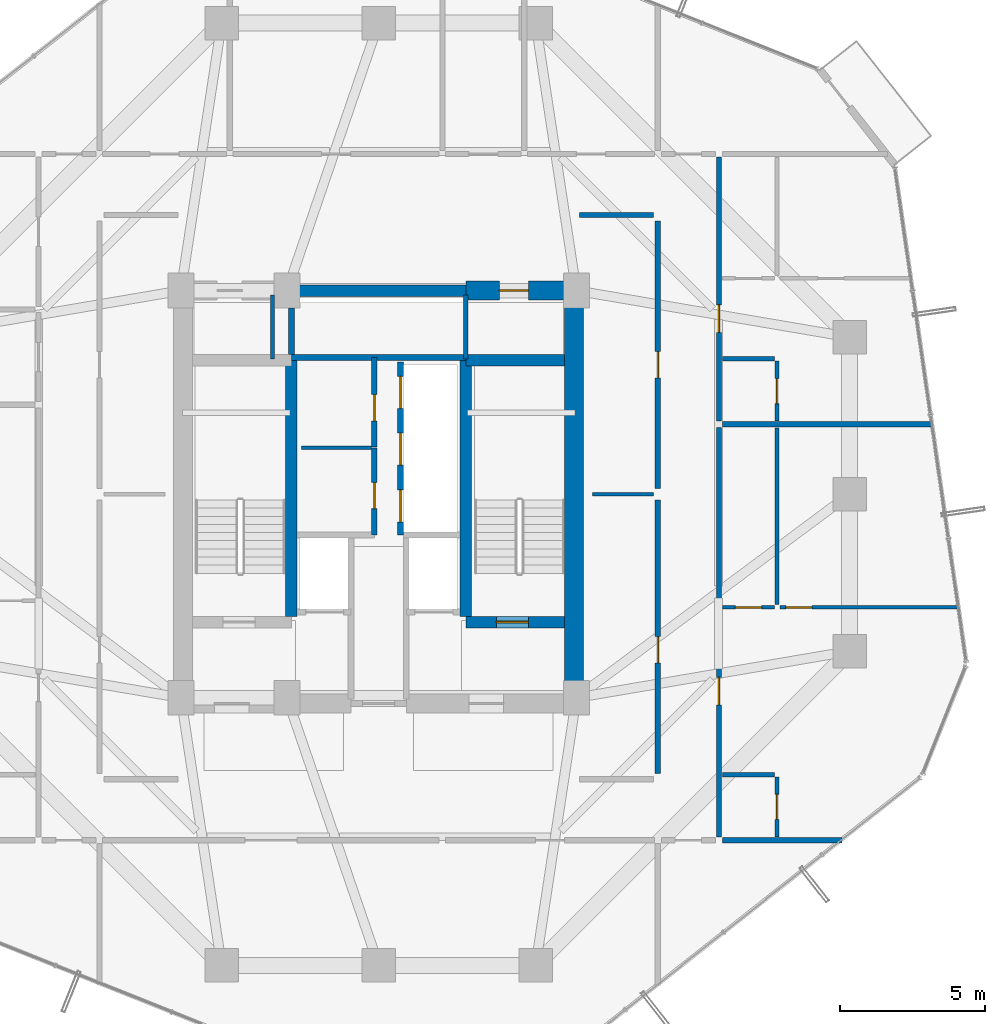
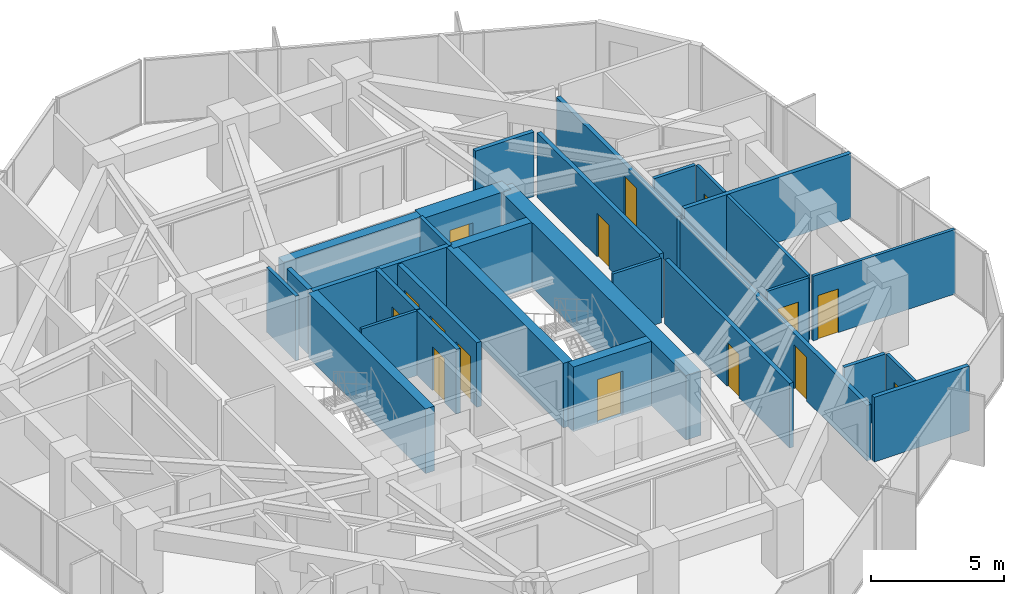
# One storey, part 31 of 34: 30 walls, 15 doors, 15 openings.
"""IFC4 building model written with IfcOpenShell, lengths in metres."""

import ifcopenshell
import ifcopenshell.guid

model = None  # the IFC model being written
_history = None  # IfcOwnerHistory: only IFC2X3 demands one
_inside = {}  # id of a spatial element -> (the spatial element, [elements in it])
_under = {}  # id of a project, library or spatial element -> (it, [spatial elements below it])
_declared = {}  # id of a project -> (the project, [libraries it declares])
_typed = {}  # id of a type object -> (the type object, [elements of that type])
_made_of = {}  # id of a material, layer set ... -> (it, [elements and type objects made of it])


def new_model(schema):
    """Start an empty IFC model of exactly this schema.

    Asked for "IFC4X3", IfcOpenShell would pick the latest addendum, in which some entities
    have other attributes; the version numbers below select the first issue.
    IFC2X3 requires an IfcOwnerHistory on every rooted entity: one is made here for all.
    """
    global model, _history
    if schema == "IFC4X3":
        model = ifcopenshell.file(schema_version=(4, 3, 0, 0))
    else:
        model = ifcopenshell.file(schema=schema)
    _inside.clear()
    _under.clear()
    _declared.clear()
    _typed.clear()
    _made_of.clear()
    _history = None
    if model.schema == "IFC2X3":
        org = make("IfcOrganization", Name="unknown")
        user = make(
            "IfcPersonAndOrganization",
            ThePerson=make("IfcPerson", FamilyName="unknown"),
            TheOrganization=org,
        )
        app = make(
            "IfcApplication",
            ApplicationDeveloper=org,
            Version="unknown",
            ApplicationFullName="unknown",
            ApplicationIdentifier="unknown",
        )
        _history = make(
            "IfcOwnerHistory",
            OwningUser=user,
            OwningApplication=app,
            ChangeAction="ADDED",
            CreationDate=0,
        )
    return model


def make(cls, **values):
    """One entity of the class cls with the attributes given. An attribute that is None is left unset."""
    return model.create_entity(
        cls, **{name: value for name, value in values.items() if value is not None}
    )


def rooted(cls, **values):
    """An entity with a GlobalId (a new one), such as an element, a storey or a relation."""
    return make(cls, GlobalId=ifcopenshell.guid.new(), OwnerHistory=_history, **values)


def si_unit(unit_type, name, prefix=None):
    """IfcSIUnit, for example si_unit("LENGTHUNIT", "METRE", prefix="MILLI")."""
    return make("IfcSIUnit", UnitType=unit_type, Prefix=prefix, Name=name)


def assignment(units):
    """IfcUnitAssignment: the units of a project."""
    return None if units is None else make("IfcUnitAssignment", Units=units)


def point(xyz):
    """IfcCartesianPoint."""
    return None if xyz is None else make("IfcCartesianPoint", Coordinates=xyz)


def direction(xyz):
    """IfcDirection."""
    return None if xyz is None else make("IfcDirection", DirectionRatios=xyz)


def frame(location, z_axis=None, x_axis=None):
    """IfcAxis2Placement3D, a coordinate frame: its origin and axes. An axis left out is left unset."""
    return make(
        "IfcAxis2Placement3D",
        Location=point(location),
        Axis=direction(z_axis),
        RefDirection=direction(x_axis),
    )


def frame_2d(location, x_axis=None):
    """IfcAxis2Placement2D, a coordinate frame in the plane: its origin and x axis."""
    return make(
        "IfcAxis2Placement2D", Location=point(location), RefDirection=direction(x_axis)
    )


def origin():
    """The frame at (0, 0, 0) with its axes left unset."""
    return frame((0.0, 0.0, 0.0))


def place(relative_to, where):
    """IfcLocalPlacement: puts the frame where relative to a parent placement (None: the world)."""
    return make(
        "IfcLocalPlacement", PlacementRelTo=relative_to, RelativePlacement=where
    )


def context(
    kind, dimensions, precision=None, world=None, true_north=None, identifier=None
):
    """IfcGeometricRepresentationContext, for example the 3D "Model" context."""
    return make(
        "IfcGeometricRepresentationContext",
        ContextIdentifier=identifier,
        ContextType=kind,
        CoordinateSpaceDimension=dimensions,
        Precision=precision,
        WorldCoordinateSystem=world,
        TrueNorth=true_north,
    )


def subcontext(parent, identifier, kind, view, scale=None):
    """IfcGeometricRepresentationSubContext, for example "Body" below "Model"."""
    return make(
        "IfcGeometricRepresentationSubContext",
        ContextIdentifier=identifier,
        ContextType=kind,
        ParentContext=parent,
        TargetScale=scale,
        TargetView=view,
    )


def project(units=None, contexts=None):
    """IfcProject with its units and contexts."""
    return rooted(
        "IfcProject",
        Name="project",
        RepresentationContexts=contexts,
        UnitsInContext=assignment(units),
    )


def spatial(cls, under=None, at=None, **own):
    """A site, building, storey or space (cls), placed at a placement, below another one or the project."""
    s = rooted(cls, ObjectPlacement=at, **own)
    if under is not None:
        _under.setdefault(under.id(), (under, []))[1].append(s)
    return s


def profile(cls, at=None, kind="AREA", **sizes):
    """A parametric profile (cls). Its sizes go by their IFC names, for example OverallWidth=200.0."""
    return make(cls, ProfileType=kind, Position=at, **sizes)


def rectangle(**sizes):
    """IfcRectangleProfileDef."""
    return profile("IfcRectangleProfileDef", **sizes)


def extrude(swept, where, along, depth):
    """IfcExtrudedAreaSolid: the profile swept, set in the frame where, extruded along a direction by depth."""
    return make(
        "IfcExtrudedAreaSolid",
        SweptArea=swept,
        Position=where,
        ExtrudedDirection=direction(along),
        Depth=depth,
    )


def shape(context_of_items, identifier, shape_type, items):
    """IfcShapeRepresentation: the items that make up one representation, for example the "Body"."""
    return make(
        "IfcShapeRepresentation",
        ContextOfItems=context_of_items,
        RepresentationIdentifier=identifier,
        RepresentationType=shape_type,
        Items=items,
    )


def source(mapping_origin, context_of_items, identifier, shape_type, items):
    """IfcRepresentationMap: a shape defined once, which mapped items show again and again."""
    return make(
        "IfcRepresentationMap",
        MappingOrigin=mapping_origin,
        MappedRepresentation=shape(context_of_items, identifier, shape_type, items),
    )


def transform(
    local_origin,
    x_axis=None,
    y_axis=None,
    z_axis=None,
    scale=None,
    scale2=None,
    scale3=None,
    uniform=True,
):
    """IfcCartesianTransformationOperator3D, or its non-uniform kind. x_axis, y_axis, z_axis: its Axis1, 2, 3."""
    if uniform:
        return make(
            "IfcCartesianTransformationOperator3D",
            Axis1=direction(x_axis),
            Axis2=direction(y_axis),
            LocalOrigin=point(local_origin),
            Scale=scale,
            Axis3=direction(z_axis),
        )
    return make(
        "IfcCartesianTransformationOperator3DnonUniform",
        Axis1=direction(x_axis),
        Axis2=direction(y_axis),
        LocalOrigin=point(local_origin),
        Scale=scale,
        Axis3=direction(z_axis),
        Scale2=scale2,
        Scale3=scale3,
    )


def mapped(mapping_source, mapping_target):
    """IfcMappedItem: shows the shape of a source again, moved by a transform."""
    return make(
        "IfcMappedItem", MappingSource=mapping_source, MappingTarget=mapping_target
    )


def material(Name=None, Category=None):
    """IfcMaterial."""
    return make("IfcMaterial", Name=Name, Category=Category)


def layer(
    of_material, thickness, ventilated=None, Name=None, Category=None, Priority=None
):
    """IfcMaterialLayer: one layer of a wall or slab, of a material (None: an air gap)."""
    return make(
        "IfcMaterialLayer",
        Material=of_material,
        LayerThickness=thickness,
        IsVentilated=ventilated,
        Name=Name,
        Category=Category,
        Priority=Priority,
    )


def layer_set(layers, Name=None):
    """IfcMaterialLayerSet."""
    return make("IfcMaterialLayerSet", MaterialLayers=layers, LayerSetName=Name)


def made_of(thing, what):
    """Note that an element or type object is made of a material, layer set ...; save() writes the relation."""
    if what is not None:
        _made_of.setdefault(what.id(), (what, []))[1].append(thing)
    return thing


def type_object(cls, material=None, **own):
    """A type object (cls), such as IfcWallType, which elements share."""
    return made_of(rooted(cls, **own), material)


def element(
    cls,
    number,
    at=None,
    inside=None,
    cuts=None,
    type_object=None,
    material=None,
    context=None,
    identifier="Body",
    shape_type=None,
    held_by="IfcProductDefinitionShape",
    body=None,
    shapes=None,
    **own,
):
    """One element of the class cls, such as IfcWall. Its Tag is "e" and its number.

    at: its placement. inside: the storey or other place that contains it. cuts: it is an
    opening in that element (IfcRelVoidsElement). A single representation is given by context,
    identifier, shape_type and body (its items); several are given by shapes. held_by: the class
    of the entity that holds the representations. save() writes the other relations.
    """
    e = rooted(cls, Tag="e%d" % number, ObjectPlacement=at, **own)
    if body is not None:
        shapes = [shape(context, identifier, shape_type, body)]
    if shapes is not None:
        e.Representation = make(held_by, Representations=shapes)
    if inside is not None:
        _inside.setdefault(inside.id(), (inside, []))[1].append(e)
    if cuts is not None:
        rooted(
            "IfcRelVoidsElement", RelatingBuildingElement=cuts, RelatedOpeningElement=e
        )
    if type_object is not None:
        _typed.setdefault(type_object.id(), (type_object, []))[1].append(e)
    return made_of(e, material)


def fill(opening, filler):
    """IfcRelFillsElement: the door or window that sits in an opening."""
    return rooted(
        "IfcRelFillsElement",
        RelatingOpeningElement=opening,
        RelatedBuildingElement=filler,
    )


def aggregate(whole, parts):
    """IfcRelAggregates: a whole, such as a stair, and the parts it consists of."""
    return rooted("IfcRelAggregates", RelatingObject=whole, RelatedObjects=parts)


def save(model, path):
    """Write the relations noted so far, then the file.

    IfcRelAggregates (storeys below a building ...), IfcRelContainedInSpatialStructure (elements
    in a storey), IfcRelDefinesByType, IfcRelAssociatesMaterial and IfcRelDeclares: one each for
    every whole, place, type object, material and project.
    """
    for whole, parts in _under.values():
        aggregate(whole, parts)
    for where, things in _inside.values():
        rooted(
            "IfcRelContainedInSpatialStructure",
            RelatedElements=things,
            RelatingStructure=where,
        )
    for kind, things in _typed.values():
        rooted("IfcRelDefinesByType", RelatedObjects=things, RelatingType=kind)
    for what, things in _made_of.values():
        rooted("IfcRelAssociatesMaterial", RelatedObjects=things, RelatingMaterial=what)
    for by, libraries in _declared.values():
        rooted("IfcRelDeclares", RelatingContext=by, RelatedDefinitions=libraries)
    model.write(path)


model = new_model("IFC4")

# Units and contexts
model_context = context("Model", 3, precision=1e-05, world=origin(), true_north=direction((0.0, 1.0)))
body_context = subcontext(model_context, "Body", "Model", "MODEL_VIEW")
ifc_project = project(units=[si_unit("LENGTHUNIT", "METRE"), si_unit("AREAUNIT", "SQUARE_METRE"), si_unit("VOLUMEUNIT", "CUBIC_METRE"), si_unit("PLANEANGLEUNIT", "RADIAN"), si_unit("MASSUNIT", "GRAM", prefix="KILO")], contexts=[model_context])

# Site, building, storey
site_placement = place(None, origin())
site = spatial("IfcSite", under=ifc_project, at=site_placement, CompositionType="ELEMENT")
building_placement = place(site_placement, origin())
building = spatial("IfcBuilding", under=site, at=building_placement, Name="Veraguas Prism Commons", CompositionType="ELEMENT")
storey_placement = place(building_placement, frame((0.0, 0.0, 155.5)))
storey = spatial("IfcBuildingStorey", under=building, at=storey_placement, Name="L44", CompositionType="ELEMENT", Elevation=155.5)

# Wall
ifc_material_1 = material(Name="Concrete C50/60", Category="concrete")
ifc_layer_1 = layer(ifc_material_1, 0.39990234375, Name="Clinic and Mid Core Shear Wall RC 400", Category="concrete")
ifc_layer_set_1 = layer_set([ifc_layer_1], Name="Concrete C50/60")
wall_type_1 = type_object("IfcWallType", Name="Clinic and Mid Core Shear Wall RC 400", PredefinedType="SHEAR", material=ifc_layer_set_1)
wall_1_placement = place(storey_placement, frame((21.0, 31.0, 0.0), z_axis=(0.0, 0.0, 1.0), x_axis=(1.0, 0.0, 0.0)))
element("IfcWall", 1, at=wall_1_placement, inside=storey, type_object=wall_type_1, Name="High-Rise Lift Bank Front Shear Wall L44", PredefinedType="SHEAR", context=body_context, shape_type="SweptSolid", body=[
    extrude(rectangle(XDim=6.0, YDim=0.39990234375, at=frame_2d((3.0, 0.0))), origin(), (0.0, 0.0, 1.0), 2.969970703125),
])

# Wall, opening, door
wall_2_placement = place(storey_placement, frame((27.0, 19.60009765625, 0.0), z_axis=(0.0, 0.0, 1.0), x_axis=(1.0, 0.0, 0.0)))
wall_2 = element("IfcWall", 2, at=wall_2_placement, inside=storey, type_object=wall_type_1, Name="Stair ST-02 South Shear Wall L44", PredefinedType="SHEAR", context=body_context, shape_type="SweptSolid", body=[
    extrude(rectangle(XDim=3.39990234375, YDim=0.39990234375, at=frame_2d((1.699951171875, 0.0))), origin(), (0.0, 0.0, 1.0), 2.969970703125),
])
opening_1_placement = place(wall_2_placement, frame((1.050048828125, 0.0, 0.0)))
opening_1 = element("IfcOpeningElement", 3, at=opening_1_placement, cuts=wall_2, Name="Opening DR-05", PredefinedType="OPENING", context=body_context, shape_type="SweptSolid", body=[
    extrude(rectangle(XDim=1.10009765625, YDim=2.030029296875, at=frame_2d((0.550048828125, 1.01513671875))), frame((0.0, 0.2099609375, 0.0), z_axis=(0.0, -1.0, 0.0), x_axis=(1.0, 0.0, 0.0)), (0.0, 0.0, 1.0), 0.419921875),
])
ifc_material_2 = material(Name="Steel fire-rated door assembly", Category="steel")
door_type_1 = type_object("IfcDoorType", Name="Protected Stair and Refuge Fire Door 1100x2030", OperationType="NOTDEFINED", PredefinedType="DOOR", material=ifc_material_2)
shared_shape_1 = source(origin(), body_context, "Body", "SweptSolid", [
    extrude(rectangle(XDim=1.10009765625, YDim=2.030029296875, at=frame_2d((0.550048828125, 1.01513671875))), frame((0.0, 0.02490234375, 0.0), z_axis=(0.0, -1.0, 0.0), x_axis=(1.0, 0.0, 0.0)), (0.0, 0.0, 1.0), 0.050048828125),
])
door_1_placement = place(opening_1_placement, origin())
door_1 = element("IfcDoor", 4, at=door_1_placement, inside=storey, type_object=door_type_1, Name="Stair ST-02 Enclosure Door L44", OperationType="SINGLE_SWING_RIGHT", OverallHeight=2.030029296875, OverallWidth=1.10009765625, PredefinedType="DOOR", context=body_context, shape_type="MappedRepresentation", body=[
    mapped(shared_shape_1, transform((0.0, 0.0, 0.0), scale=1.0)),
])
fill(opening_1, door_1)

# Walls
for number, where, z_axis, x_axis, name in (
    (5, (21.0, 19.800048828125, 0.0), (0.0, 0.0, 1.0), (0.0, 1.0, 0.0), "Stair ST-01 Inner Shear Wall L44"),
    (6, (27.0, 19.800048828125, 0.0), (0.0, 0.0, 1.0), (0.0, 1.0, 0.0), "Stair ST-02 Inner Shear Wall L44"),
):
    element("IfcWall", number, at=place(storey_placement, frame(where, z_axis=z_axis, x_axis=x_axis)), inside=storey, type_object=wall_type_1, Name=name, PredefinedType="SHEAR", context=body_context, shape_type="SweptSolid", body=[
        extrude(rectangle(XDim=8.800048828125, YDim=0.39990234375, at=frame_2d((4.39990234375, 0.0))), origin(), (0.0, 0.0, 1.0), 2.969970703125),
    ])
wall_3_placement = place(storey_placement, frame((27.0, 28.60009765625, 0.0), z_axis=(0.0, 0.0, 1.0), x_axis=(1.0, 0.0, 0.0)))
element("IfcWall", 7, at=wall_3_placement, inside=storey, type_object=wall_type_1, Name="Stair ST-02 North Shear Wall L44", PredefinedType="SHEAR", context=body_context, shape_type="SweptSolid", body=[
    extrude(rectangle(XDim=3.39990234375, YDim=0.39990234375, at=frame_2d((1.699951171875, 0.0))), origin(), (0.0, 0.0, 1.0), 2.969970703125),
])
ifc_material_3 = material(Name="Concrete C55/67", Category="concrete")
ifc_layer_2 = layer(ifc_material_3, 0.64990234375, Name="Core Outer Shear Wall Mid RC 650", Category="concrete")
ifc_layer_set_2 = layer_set([ifc_layer_2], Name="Concrete C55/67")
wall_type_2 = type_object("IfcWallType", Name="Core Outer Shear Wall Mid RC 650", PredefinedType="SHEAR", material=ifc_layer_set_2)
wall_4_placement = place(storey_placement, frame((30.72509765625, 16.800048828125, 0.0), z_axis=(0.0, 0.0, 1.0), x_axis=(0.0, 1.0, 0.0)))
element("IfcWall", 8, at=wall_4_placement, inside=storey, type_object=wall_type_2, Name="Central Core East Shear Wall L44", PredefinedType="SHEAR", context=body_context, shape_type="SweptSolid", body=[
    extrude(rectangle(XDim=14.199951171875, YDim=0.64990234375, at=frame_2d((7.10009765625, 0.0))), origin(), (0.0, 0.0, 1.0), 2.969970703125),
])

# Wall, opening, door
wall_5_placement = place(storey_placement, frame((27.0, 31.0, 0.0), z_axis=(0.0, 0.0, 1.0), x_axis=(1.0, 0.0, 0.0)))
wall_5 = element("IfcWall", 9, at=wall_5_placement, inside=storey, type_object=wall_type_2, Name="Central Core North-East Shear Wall L44", PredefinedType="SHEAR", context=body_context, shape_type="SweptSolid", body=[
    extrude(rectangle(XDim=3.800048828125, YDim=0.64990234375, at=frame_2d((1.89990234375, 0.0))), origin(), (0.0, 0.0, 1.0), 2.969970703125),
])
opening_2_placement = place(wall_5_placement, frame((1.14990234375, 0.0, 0.0)))
opening_2 = element("IfcOpeningElement", 10, at=opening_2_placement, cuts=wall_5, Name="Opening DR-13", PredefinedType="OPENING", context=body_context, shape_type="SweptSolid", body=[
    extrude(rectangle(XDim=1.0, YDim=2.010009765625, at=frame_2d((0.5, 1.0048828125))), frame((0.0, 0.3349609375, 0.0), z_axis=(0.0, -1.0, 0.0), x_axis=(1.0, 0.0, 0.0)), (0.0, 0.0, 1.0), 0.669921875),
])
door_type_2 = type_object("IfcDoorType", Name="Core Accessible WC and Clinic Fire Door 1000x2010", OperationType="NOTDEFINED", PredefinedType="DOOR", material=ifc_material_2)
shared_shape_2 = source(origin(), body_context, "Body", "SweptSolid", [
    extrude(rectangle(XDim=1.0, YDim=2.010009765625, at=frame_2d((0.5, 1.0048828125))), frame((0.0, 0.02490234375, 0.0), z_axis=(0.0, -1.0, 0.0), x_axis=(1.0, 0.0, 0.0)), (0.0, 0.0, 1.0), 0.050048828125),
])
door_2_placement = place(opening_2_placement, origin())
door_2 = element("IfcDoor", 11, at=door_2_placement, inside=storey, type_object=door_type_2, Name="Core NE Pantry Door L44", OperationType="SINGLE_SWING_RIGHT", OverallHeight=2.010009765625, OverallWidth=1.0, PredefinedType="DOOR", context=body_context, shape_type="MappedRepresentation", body=[
    mapped(shared_shape_2, transform((0.0, 0.0, 0.0), scale=1.0)),
])
fill(opening_2, door_2)

ifc_material_4 = material(Name="Autoclaved aerated masonry block 10 MPa", Category="masonry")
ifc_layer_3 = layer(ifc_material_4, 0.179931640625, Name="Corridor and Inter-Tenancy Partition 180", Category="masonry")
ifc_layer_set_3 = layer_set([ifc_layer_3], Name="Autoclaved aerated masonry block 10 MPa")
wall_type_3 = type_object("IfcWallType", Name="Corridor and Inter-Tenancy Partition 180", PredefinedType="PARTITIONING", material=ifc_layer_set_3)
wall_6_placement = place(storey_placement, frame((23.85009765625, 22.60009765625, 0.0), z_axis=(0.0, 0.0, 1.0), x_axis=(0.0, 1.0, 0.0)))
wall_6 = element("IfcWall", 12, at=wall_6_placement, inside=storey, type_object=wall_type_3, Name="Co-op Pantry Partition L44", PredefinedType="PARTITIONING", context=body_context, shape_type="SweptSolid", body=[
    extrude(rectangle(XDim=2.97998046875, YDim=0.179931640625, at=frame_2d((1.489990234375, 0.0))), origin(), (0.0, 0.0, 1.0), 2.969970703125),
])
opening_3_placement = place(wall_6_placement, frame((0.89990234375, 0.0, 0.0)))
opening_3 = element("IfcOpeningElement", 13, at=opening_3_placement, cuts=wall_6, Name="Opening DR-14", PredefinedType="OPENING", context=body_context, shape_type="SweptSolid", body=[
    extrude(rectangle(XDim=0.89990234375, YDim=2.010009765625, at=frame_2d((0.449951171875, 1.0048828125))), frame((0.0, 0.099853515625, 0.0), z_axis=(0.0, -1.0, 0.0), x_axis=(1.0, 0.0, 0.0)), (0.0, 0.0, 1.0), 0.199951171875),
])
door_type_3 = type_object("IfcDoorType", Name="Core Service Room Fire Door 900x2010", OperationType="NOTDEFINED", PredefinedType="DOOR", material=ifc_material_2)
shared_shape_3 = source(origin(), body_context, "Body", "SweptSolid", [
    extrude(rectangle(XDim=0.89990234375, YDim=2.010009765625, at=frame_2d((0.449951171875, 1.0048828125))), frame((0.0, 0.02490234375, 0.0), z_axis=(0.0, -1.0, 0.0), x_axis=(1.0, 0.0, 0.0)), (0.0, 0.0, 1.0), 0.050048828125),
])
door_3_placement = place(opening_3_placement, origin())
door_3 = element("IfcDoor", 14, at=door_3_placement, inside=storey, type_object=door_type_3, Name="Co-op Pantry Door L44", OperationType="SINGLE_SWING_LEFT", OverallHeight=2.010009765625, OverallWidth=0.89990234375, PredefinedType="DOOR", context=body_context, shape_type="MappedRepresentation", body=[
    mapped(shared_shape_3, transform((0.0, 0.0, 0.0), scale=1.0)),
])
fill(opening_3, door_3)

wall_7_placement = place(storey_placement, frame((23.85009765625, 25.6201171875, 0.0), z_axis=(0.0, 0.0, 1.0), x_axis=(0.0, 1.0, 0.0)))
wall_7 = element("IfcWall", 15, at=wall_7_placement, inside=storey, type_object=wall_type_3, Name="Bookshop Alcove Partition L44", PredefinedType="PARTITIONING", context=body_context, shape_type="SweptSolid", body=[
    extrude(rectangle(XDim=3.079833984375, YDim=0.179931640625, at=frame_2d((1.5400390625, 0.0))), origin(), (0.0, 0.0, 1.0), 2.969970703125),
])
opening_4_placement = place(wall_7_placement, frame((0.89990234375, 0.0, 0.0)))
opening_4 = element("IfcOpeningElement", 16, at=opening_4_placement, cuts=wall_7, Name="Opening DR-14", PredefinedType="OPENING", context=body_context, shape_type="SweptSolid", body=[
    extrude(rectangle(XDim=0.89990234375, YDim=2.010009765625, at=frame_2d((0.449951171875, 1.0048828125))), frame((0.0, 0.099853515625, 0.0), z_axis=(0.0, -1.0, 0.0), x_axis=(1.0, 0.0, 0.0)), (0.0, 0.0, 1.0), 0.199951171875),
])
door_4_placement = place(opening_4_placement, origin())
door_4 = element("IfcDoor", 17, at=door_4_placement, inside=storey, type_object=door_type_3, Name="Bookshop Alcove Door L44", OperationType="SINGLE_SWING_RIGHT", OverallHeight=2.010009765625, OverallWidth=0.89990234375, PredefinedType="DOOR", context=body_context, shape_type="MappedRepresentation", body=[
    mapped(shared_shape_3, transform((0.0, 0.0, 0.0), scale=1.0)),
])
fill(opening_4, door_4)

wall_8_placement = place(storey_placement, frame((33.60009765625, 14.39990234375, 0.0), z_axis=(0.0, 0.0, 1.0), x_axis=(0.0, 1.0, 0.0)))
wall_8 = element("IfcWall", 18, at=wall_8_placement, inside=storey, type_object=wall_type_3, Name="WL-L44-IRE1", PredefinedType="PARTITIONING", context=body_context, shape_type="SweptSolid", body=[
    extrude(rectangle(XDim=9.400146484375, YDim=0.179931640625, at=frame_2d((4.7001953125, 0.0))), origin(), (0.0, 0.0, 1.0), 2.969970703125),
])
opening_5_placement = place(wall_8_placement, frame((3.800048828125, 0.0, 0.0)))
opening_5 = element("IfcOpeningElement", 19, at=opening_5_placement, cuts=wall_8, Name="Opening DR-14", PredefinedType="OPENING", context=body_context, shape_type="SweptSolid", body=[
    extrude(rectangle(XDim=0.89990234375, YDim=2.010009765625, at=frame_2d((0.449951171875, 1.0048828125))), frame((0.0, 0.099853515625, 0.0), z_axis=(0.0, -1.0, 0.0), x_axis=(1.0, 0.0, 0.0)), (0.0, 0.0, 1.0), 0.199951171875),
])
door_5_placement = place(opening_5_placement, origin())
door_5 = element("IfcDoor", 20, at=door_5_placement, inside=storey, type_object=door_type_3, Name="Shared Laundry Annex Door L44", OperationType="SINGLE_SWING_LEFT", OverallHeight=2.010009765625, OverallWidth=0.89990234375, PredefinedType="DOOR", context=body_context, shape_type="MappedRepresentation", body=[
    mapped(shared_shape_3, transform((0.0, 0.0, 0.0), scale=1.0)),
])
fill(opening_5, door_5)

wall_9_placement = place(storey_placement, frame((33.60009765625, 24.199951171875, 0.0), z_axis=(0.0, 0.0, 1.0), x_axis=(0.0, 1.0, 0.0)))
wall_9 = element("IfcWall", 21, at=wall_9_placement, inside=storey, type_object=wall_type_3, Name="WL-L44-IRE2", PredefinedType="PARTITIONING", context=body_context, shape_type="SweptSolid", body=[
    extrude(rectangle(XDim=9.199951171875, YDim=0.179931640625, at=frame_2d((4.60009765625, 0.0))), origin(), (0.0, 0.0, 1.0), 2.969970703125),
])
opening_6_placement = place(wall_9_placement, frame((3.800048828125, 0.0, 0.0)))
opening_6 = element("IfcOpeningElement", 22, at=opening_6_placement, cuts=wall_9, Name="Opening DR-14", PredefinedType="OPENING", context=body_context, shape_type="SweptSolid", body=[
    extrude(rectangle(XDim=0.89990234375, YDim=2.010009765625, at=frame_2d((0.449951171875, 1.0048828125))), frame((0.0, 0.099853515625, 0.0), z_axis=(0.0, -1.0, 0.0), x_axis=(1.0, 0.0, 0.0)), (0.0, 0.0, 1.0), 0.199951171875),
])
door_6_placement = place(opening_6_placement, origin())
door_6 = element("IfcDoor", 23, at=door_6_placement, inside=storey, type_object=door_type_3, Name="Community Reading Alcove Door L44", OperationType="SINGLE_SWING_RIGHT", OverallHeight=2.010009765625, OverallWidth=0.89990234375, PredefinedType="DOOR", context=body_context, shape_type="MappedRepresentation", body=[
    mapped(shared_shape_3, transform((0.0, 0.0, 0.0), scale=1.0)),
])
fill(opening_6, door_6)

# Walls
wall_10_placement = place(storey_placement, frame((30.89990234375, 33.60009765625, 0.0), z_axis=(0.0, 0.0, 1.0), x_axis=(1.0, 0.0, 0.0)))
element("IfcWall", 24, at=wall_10_placement, inside=storey, type_object=wall_type_3, Name="WL-L44-IREN", PredefinedType="PARTITIONING", context=body_context, shape_type="SweptSolid", body=[
    extrude(rectangle(XDim=2.550048828125, YDim=0.179931640625, at=frame_2d((1.27490234375, 0.0))), origin(), (0.0, 0.0, 1.0), 2.969970703125),
])
wall_11_placement = place(storey_placement, frame((35.820068359375, 12.10009765625, 0.0), z_axis=(0.0, 0.0, 1.0), x_axis=(1.0, 0.0, 0.0)))
element("IfcWall", 25, at=wall_11_placement, inside=storey, type_object=wall_type_3, Name="WL-L44-PT026", PredefinedType="PARTITIONING", context=body_context, shape_type="SweptSolid", body=[
    extrude(rectangle(XDim=4.122314453125, YDim=0.179931640625, at=frame_2d((2.06103515625, 0.0))), origin(), (0.0, 0.0, 1.0), 2.969970703125),
])

# Wall, opening, door
wall_12_placement = place(storey_placement, frame((35.699951171875, 12.2099609375, 0.0), z_axis=(0.0, 0.0, 1.0), x_axis=(0.0, 1.0, 0.0)))
wall_12 = element("IfcWall", 26, at=wall_12_placement, inside=storey, type_object=wall_type_3, Name="WL-L44-PT028", PredefinedType="PARTITIONING", context=body_context, shape_type="SweptSolid", body=[
    extrude(rectangle(XDim=14.08203125, YDim=0.179931640625, at=frame_2d((7.041015625, 0.0))), origin(), (0.0, 0.0, 1.0), 2.550048828125),
])
opening_7_placement = place(wall_12_placement, frame((4.54443359375, 0.0, 0.0)))
opening_7 = element("IfcOpeningElement", 27, at=opening_7_placement, cuts=wall_12, Name="Opening DR-01", PredefinedType="OPENING", context=body_context, shape_type="SweptSolid", body=[
    extrude(rectangle(XDim=0.949951171875, YDim=2.02001953125, at=frame_2d((0.47509765625, 1.010009765625))), frame((0.0, 0.099853515625, 0.0), z_axis=(0.0, -1.0, 0.0), x_axis=(1.0, 0.0, 0.0)), (0.0, 0.0, 1.0), 0.199951171875),
])
ifc_material_5 = material(Name="Anodised aluminium EN AW-6063 T6", Category="aluminium")
door_type_4 = type_object("IfcDoorType", Name="Apartment Entrance Fire Door 950x2020", OperationType="NOTDEFINED", PredefinedType="DOOR", material=ifc_material_5)
shared_shape_4 = source(origin(), body_context, "Body", "SweptSolid", [
    extrude(rectangle(XDim=0.949951171875, YDim=2.02001953125, at=frame_2d((0.47509765625, 1.010009765625))), frame((0.0, 0.02490234375, 0.0), z_axis=(0.0, -1.0, 0.0), x_axis=(1.0, 0.0, 0.0)), (0.0, 0.0, 1.0), 0.050048828125),
])
door_7_placement = place(opening_7_placement, origin())
door_7 = element("IfcDoor", 28, at=door_7_placement, inside=storey, type_object=door_type_4, Name="Flat 44B Entrance Door", OperationType="SINGLE_SWING_LEFT", OverallHeight=2.02001953125, OverallWidth=0.949951171875, PredefinedType="DOOR", context=body_context, shape_type="MappedRepresentation", body=[
    mapped(shared_shape_4, transform((0.0, 0.0, 0.0), scale=1.0)),
])
fill(opening_7, door_7)

# Wall
wall_13_placement = place(storey_placement, frame((35.820068359375, 26.402099609375, 0.0), z_axis=(0.0, 0.0, 1.0), x_axis=(1.0, 0.0, 0.0)))
element("IfcWall", 29, at=wall_13_placement, inside=storey, type_object=wall_type_3, Name="WL-L44-PT034", PredefinedType="PARTITIONING", context=body_context, shape_type="SweptSolid", body=[
    extrude(rectangle(XDim=7.244873046875, YDim=0.179931640625, at=frame_2d((3.62255859375, 0.0))), origin(), (0.0, 0.0, 1.0), 2.969970703125),
])

# Wall, opening, door
wall_14_placement = place(storey_placement, frame((35.699951171875, 26.511962890625, 0.0), z_axis=(0.0, 0.0, 1.0), x_axis=(0.0, 1.0, 0.0)))
wall_14 = element("IfcWall", 30, at=wall_14_placement, inside=storey, type_object=wall_type_3, Name="WL-L44-PT035", PredefinedType="PARTITIONING", context=body_context, shape_type="SweptSolid", body=[
    extrude(rectangle(XDim=9.078125, YDim=0.179931640625, at=frame_2d((4.5390625, 0.0))), origin(), (0.0, 0.0, 1.0), 2.550048828125),
])
opening_8_placement = place(wall_14_placement, frame((3.050537109375, 0.0, 0.0)))
opening_8 = element("IfcOpeningElement", 31, at=opening_8_placement, cuts=wall_14, Name="Opening DR-01", PredefinedType="OPENING", context=body_context, shape_type="SweptSolid", body=[
    extrude(rectangle(XDim=0.949951171875, YDim=2.02001953125, at=frame_2d((0.47509765625, 1.010009765625))), frame((0.0, 0.099853515625, 0.0), z_axis=(0.0, -1.0, 0.0), x_axis=(1.0, 0.0, 0.0)), (0.0, 0.0, 1.0), 0.199951171875),
])
door_8_placement = place(opening_8_placement, origin())
door_8 = element("IfcDoor", 32, at=door_8_placement, inside=storey, type_object=door_type_4, Name="Flat 44C Entrance Door", OperationType="SINGLE_SWING_LEFT", OverallHeight=2.02001953125, OverallWidth=0.949951171875, PredefinedType="DOOR", context=body_context, shape_type="MappedRepresentation", body=[
    mapped(shared_shape_4, transform((0.0, 0.0, 0.0), scale=1.0)),
])
fill(opening_8, door_8)

# Walls
ifc_material_6 = material(Name="Lightweight acoustic gypsum board")
ifc_layer_4 = layer(ifc_material_6, 0.125, Name="Internal Apartment Room Partition 125")
ifc_layer_set_4 = layer_set([ifc_layer_4], Name="Lightweight acoustic gypsum board")
wall_type_4 = type_object("IfcWallType", Name="Internal Apartment Room Partition 125", PredefinedType="PARTITIONING", material=ifc_layer_set_4)
wall_15_placement = place(storey_placement, frame((21.35009765625, 25.60009765625, 0.0), z_axis=(0.0, 0.0, 1.0), x_axis=(1.0, 0.0, 0.0)))
element("IfcWall", 33, at=wall_15_placement, inside=storey, type_object=wall_type_4, Name="WL-L44-FRWLM", PredefinedType="PARTITIONING", context=body_context, shape_type="SweptSolid", body=[
    extrude(rectangle(XDim=2.39990234375, YDim=0.125, at=frame_2d((1.199951171875, 0.0))), origin(), (0.0, 0.0, 1.0), 2.969970703125),
])
wall_16_placement = place(storey_placement, frame((31.35009765625, 24.0, 0.0), z_axis=(0.0, 0.0, 1.0), x_axis=(1.0, 0.0, 0.0)))
element("IfcWall", 34, at=wall_16_placement, inside=storey, type_object=wall_type_4, Name="WL-L44-IREM", PredefinedType="PARTITIONING", context=body_context, shape_type="SweptSolid", body=[
    extrude(rectangle(XDim=2.099853515625, YDim=0.125, at=frame_2d((1.0498046875, 0.0))), origin(), (0.0, 0.0, 1.0), 2.969970703125),
])

# Wall, opening, door
wall_17_placement = place(storey_placement, frame((37.699951171875, 12.219970703125, 0.0), z_axis=(0.0, 0.0, 1.0), x_axis=(0.0, 1.0, 0.0)))
wall_17 = element("IfcWall", 35, at=wall_17_placement, inside=storey, type_object=wall_type_4, Name="WL-L44-PT030", PredefinedType="PARTITIONING", context=body_context, shape_type="SweptSolid", body=[
    extrude(rectangle(XDim=2.050048828125, YDim=0.125, at=frame_2d((1.02490234375, 0.0))), origin(), (0.0, 0.0, 1.0), 2.969970703125),
])
opening_9_placement = place(wall_17_placement, frame((0.594970703125, 0.0, 0.0)))
opening_9 = element("IfcOpeningElement", 36, at=opening_9_placement, cuts=wall_17, Name="Opening DR-03", PredefinedType="OPENING", context=body_context, shape_type="SweptSolid", body=[
    extrude(rectangle(XDim=0.860107421875, YDim=2.010009765625, at=frame_2d((0.43017578125, 1.0048828125))), frame((0.0, 0.072509765625, 0.0), z_axis=(0.0, -1.0, 0.0), x_axis=(1.0, 0.0, 0.0)), (0.0, 0.0, 1.0), 0.14501953125),
])
ifc_material_7 = material(Name="Timber moisture-resistant leaf", Category="wood")
door_type_5 = type_object("IfcDoorType", Name="Internal Bathroom Door 860x2010", OperationType="NOTDEFINED", PredefinedType="DOOR", material=ifc_material_7)
shared_shape_5 = source(origin(), body_context, "Body", "SweptSolid", [
    extrude(rectangle(XDim=0.860107421875, YDim=2.010009765625, at=frame_2d((0.43017578125, 1.0048828125))), frame((0.0, 0.02490234375, 0.0), z_axis=(0.0, -1.0, 0.0), x_axis=(1.0, 0.0, 0.0)), (0.0, 0.0, 1.0), 0.050048828125),
])
door_9_placement = place(opening_9_placement, origin())
door_9 = element("IfcDoor", 37, at=door_9_placement, inside=storey, type_object=door_type_5, Name="Flat 44B Bathroom Door", OperationType="SINGLE_SWING_RIGHT", OverallHeight=2.010009765625, OverallWidth=0.860107421875, PredefinedType="DOOR", context=body_context, shape_type="MappedRepresentation", body=[
    mapped(shared_shape_5, transform((0.0, 0.0, 0.0), scale=1.0)),
])
fill(opening_9, door_9)

wall_18_placement = place(storey_placement, frame((35.820068359375, 20.10888671875, 0.0), z_axis=(0.0, 0.0, 1.0), x_axis=(1.0, 0.0, 0.0)))
wall_18 = element("IfcWall", 38, at=wall_18_placement, inside=storey, type_object=wall_type_4, Name="WL-L44-PT031", PredefinedType="PARTITIONING", context=body_context, shape_type="SweptSolid", body=[
    extrude(rectangle(XDim=1.800048828125, YDim=0.125, at=frame_2d((0.89990234375, 0.0))), origin(), (0.0, 0.0, 1.0), 2.969970703125),
])
opening_10_placement = place(wall_18_placement, frame((0.449951171875, 0.0, 0.0)))
opening_10 = element("IfcOpeningElement", 39, at=opening_10_placement, cuts=wall_18, Name="Opening DR-02", PredefinedType="OPENING", context=body_context, shape_type="SweptSolid", body=[
    extrude(rectangle(XDim=0.89990234375, YDim=2.010009765625, at=frame_2d((0.449951171875, 1.0048828125))), frame((0.0, 0.072509765625, 0.0), z_axis=(0.0, -1.0, 0.0), x_axis=(1.0, 0.0, 0.0)), (0.0, 0.0, 1.0), 0.14501953125),
])
ifc_material_8 = material(Name="Timber solid core hardwood", Category="wood")
door_type_6 = type_object("IfcDoorType", Name="Internal Habitable Room Door 900x2010", OperationType="NOTDEFINED", PredefinedType="DOOR", material=ifc_material_8)
door_10_placement = place(opening_10_placement, origin())
door_10 = element("IfcDoor", 40, at=door_10_placement, inside=storey, type_object=door_type_6, Name="Flat 44B Kitchen Door", OperationType="SINGLE_SWING_LEFT", OverallHeight=2.010009765625, OverallWidth=0.89990234375, PredefinedType="DOOR", context=body_context, shape_type="MappedRepresentation", body=[
    mapped(shared_shape_3, transform((0.0, 0.0, 0.0), scale=1.0)),
])
fill(opening_10, door_10)

# Wall
wall_19_placement = place(storey_placement, frame((37.699951171875, 20.208984375, 0.0), z_axis=(0.0, 0.0, 1.0), x_axis=(0.0, 1.0, 0.0)))
element("IfcWall", 41, at=wall_19_placement, inside=storey, type_object=wall_type_4, Name="WL-L44-PT032", PredefinedType="PARTITIONING", context=body_context, shape_type="SweptSolid", body=[
    extrude(rectangle(XDim=6.072998046875, YDim=0.125, at=frame_2d((3.03662109375, 0.0))), origin(), (0.0, 0.0, 1.0), 2.969970703125),
])

# Wall, opening, door
wall_20_placement = place(storey_placement, frame((37.800048828125, 20.10888671875, 0.0), z_axis=(0.0, 0.0, 1.0), x_axis=(1.0, 0.0, 0.0)))
wall_20 = element("IfcWall", 42, at=wall_20_placement, inside=storey, type_object=wall_type_4, Name="WL-L44-PT033", PredefinedType="PARTITIONING", context=body_context, shape_type="SweptSolid", body=[
    extrude(rectangle(XDim=6.174072265625, YDim=0.125, at=frame_2d((3.0869140625, 0.0))), origin(), (0.0, 0.0, 1.0), 2.969970703125),
])
opening_11_placement = place(wall_20_placement, frame((0.199951171875, 0.0, 0.0)))
opening_11 = element("IfcOpeningElement", 43, at=opening_11_placement, cuts=wall_20, Name="Opening DR-02", PredefinedType="OPENING", context=body_context, shape_type="SweptSolid", body=[
    extrude(rectangle(XDim=0.89990234375, YDim=2.010009765625, at=frame_2d((0.449951171875, 1.0048828125))), frame((0.0, 0.072509765625, 0.0), z_axis=(0.0, -1.0, 0.0), x_axis=(1.0, 0.0, 0.0)), (0.0, 0.0, 1.0), 0.14501953125),
])
door_11_placement = place(opening_11_placement, origin())
door_11 = element("IfcDoor", 44, at=door_11_placement, inside=storey, type_object=door_type_6, Name="Flat 44B Bedroom 1 Door", OperationType="SINGLE_SWING_RIGHT", OverallHeight=2.010009765625, OverallWidth=0.89990234375, PredefinedType="DOOR", context=body_context, shape_type="MappedRepresentation", body=[
    mapped(shared_shape_3, transform((0.0, 0.0, 0.0), scale=1.0)),
])
fill(opening_11, door_11)

wall_21_placement = place(storey_placement, frame((37.699951171875, 26.52197265625, 0.0), z_axis=(0.0, 0.0, 1.0), x_axis=(0.0, 1.0, 0.0)))
wall_21 = element("IfcWall", 45, at=wall_21_placement, inside=storey, type_object=wall_type_4, Name="WL-L44-PT037", PredefinedType="PARTITIONING", context=body_context, shape_type="SweptSolid", body=[
    extrude(rectangle(XDim=2.050048828125, YDim=0.125, at=frame_2d((1.02490234375, 0.0))), origin(), (0.0, 0.0, 1.0), 2.969970703125),
])
opening_12_placement = place(wall_21_placement, frame((0.594970703125, 0.0, 0.0)))
opening_12 = element("IfcOpeningElement", 46, at=opening_12_placement, cuts=wall_21, Name="Opening DR-03", PredefinedType="OPENING", context=body_context, shape_type="SweptSolid", body=[
    extrude(rectangle(XDim=0.860107421875, YDim=2.010009765625, at=frame_2d((0.43017578125, 1.0048828125))), frame((0.0, 0.072509765625, 0.0), z_axis=(0.0, -1.0, 0.0), x_axis=(1.0, 0.0, 0.0)), (0.0, 0.0, 1.0), 0.14501953125),
])
door_12_placement = place(opening_12_placement, origin())
door_12 = element("IfcDoor", 47, at=door_12_placement, inside=storey, type_object=door_type_5, Name="Flat 44C Bathroom Door", OperationType="SINGLE_SWING_RIGHT", OverallHeight=2.010009765625, OverallWidth=0.860107421875, PredefinedType="DOOR", context=body_context, shape_type="MappedRepresentation", body=[
    mapped(shared_shape_5, transform((0.0, 0.0, 0.0), scale=1.0)),
])
fill(opening_12, door_12)

# Walls
ifc_layer_5 = layer(ifc_material_4, 0.199951171875, Name="Rated Shaft and Lobby Block Wall 200", Category="masonry")
ifc_layer_set_5 = layer_set([ifc_layer_5], Name="Autoclaved aerated masonry block 10 MPa")
wall_type_5 = type_object("IfcWallType", Name="Rated Shaft and Lobby Block Wall 200", PredefinedType="SOLIDWALL", material=ifc_layer_set_5)
wall_22_placement = place(storey_placement, frame((21.0, 28.699951171875, 0.0), z_axis=(0.0, 0.0, 1.0), x_axis=(1.0, 0.0, 0.0)))
element("IfcWall", 48, at=wall_22_placement, inside=storey, type_object=wall_type_5, Name="High-Rise Lift Bank Rear Shaft Wall L44", PredefinedType="SOLIDWALL", context=body_context, shape_type="SweptSolid", body=[
    extrude(rectangle(XDim=6.0, YDim=0.199951171875, at=frame_2d((3.0, 0.0))), origin(), (0.0, 0.0, 1.0), 2.969970703125),
])
wall_23_placement = place(storey_placement, frame((21.0, 28.800048828125, 0.0), z_axis=(0.0, 0.0, 1.0), x_axis=(0.0, 1.0, 0.0)))
element("IfcWall", 49, at=wall_23_placement, inside=storey, type_object=wall_type_5, Name="High-Rise Lift Bank West Shaft Wall L44", PredefinedType="SOLIDWALL", context=body_context, shape_type="SweptSolid", body=[
    extrude(rectangle(XDim=1.599853515625, YDim=0.199951171875, at=frame_2d((0.7998046875, 0.0))), origin(), (0.0, 0.0, 1.0), 2.969970703125),
])

# Wall, openings, doors
wall_24_placement = place(storey_placement, frame((24.75, 22.60009765625, 0.0), z_axis=(0.0, 0.0, 1.0), x_axis=(0.0, 1.0, 0.0)))
wall_24 = element("IfcWall", 50, at=wall_24_placement, inside=storey, type_object=wall_type_5, Name="Mid-Rise Lift Bank Front Wall L44", PredefinedType="SOLIDWALL", context=body_context, shape_type="SweptSolid", body=[
    extrude(rectangle(XDim=5.949951171875, YDim=0.199951171875, at=frame_2d((2.97509765625, 0.0))), origin(), (0.0, 0.0, 1.0), 2.969970703125),
])
opening_13_placement = place(wall_24_placement, frame((0.449951171875, 0.0, 0.0)))
opening_13 = element("IfcOpeningElement", 51, at=opening_13_placement, cuts=wall_24, Name="Opening LD-01", PredefinedType="OPENING", context=body_context, shape_type="SweptSolid", body=[
    extrude(rectangle(XDim=1.10009765625, YDim=2.080078125, at=frame_2d((0.550048828125, 1.0400390625))), frame((0.0, 0.10986328125, 0.0), z_axis=(0.0, -1.0, 0.0), x_axis=(1.0, 0.0, 0.0)), (0.0, 0.0, 1.0), 0.219970703125),
])
opening_14_placement = place(wall_24_placement, frame((2.39990234375, 0.0, 0.0)))
opening_14 = element("IfcOpeningElement", 52, at=opening_14_placement, cuts=wall_24, Name="Opening LD-01", PredefinedType="OPENING", context=body_context, shape_type="SweptSolid", body=[
    extrude(rectangle(XDim=1.10009765625, YDim=2.080078125, at=frame_2d((0.550048828125, 1.0400390625))), frame((0.0, 0.10986328125, 0.0), z_axis=(0.0, -1.0, 0.0), x_axis=(1.0, 0.0, 0.0)), (0.0, 0.0, 1.0), 0.219970703125),
])
opening_15_placement = place(wall_24_placement, frame((4.35009765625, 0.0, 0.0)))
opening_15 = element("IfcOpeningElement", 53, at=opening_15_placement, cuts=wall_24, Name="Opening LD-01", PredefinedType="OPENING", context=body_context, shape_type="SweptSolid", body=[
    extrude(rectangle(XDim=1.10009765625, YDim=2.080078125, at=frame_2d((0.550048828125, 1.0400390625))), frame((0.0, 0.10986328125, 0.0), z_axis=(0.0, -1.0, 0.0), x_axis=(1.0, 0.0, 0.0)), (0.0, 0.0, 1.0), 0.219970703125),
])
ifc_material_9 = material(Name="Stainless steel AISI 316", Category="steel")
door_type_7 = type_object("IfcDoorType", Name="Passenger Lift Sliding Landing Door 1100x2080", OperationType="NOTDEFINED", PredefinedType="DOOR", material=ifc_material_9)
shared_shape_6 = source(origin(), body_context, "Body", "SweptSolid", [
    extrude(rectangle(XDim=1.10009765625, YDim=2.080078125, at=frame_2d((0.550048828125, 1.0400390625))), frame((0.0, 0.02490234375, 0.0), z_axis=(0.0, -1.0, 0.0), x_axis=(1.0, 0.0, 0.0)), (0.0, 0.0, 1.0), 0.050048828125),
])
door_13_placement = place(opening_13_placement, origin())
door_13 = element("IfcDoor", 54, at=door_13_placement, inside=storey, type_object=door_type_7, Name="Sliding Landing Door PL-M1 L44", OperationType="SLIDING_TO_LEFT", OverallHeight=2.080078125, OverallWidth=1.10009765625, PredefinedType="DOOR", context=body_context, shape_type="MappedRepresentation", body=[
    mapped(shared_shape_6, transform((0.0, 0.0, 0.0), scale=1.0)),
])
fill(opening_13, door_13)
door_14_placement = place(opening_14_placement, origin())
door_14 = element("IfcDoor", 55, at=door_14_placement, inside=storey, type_object=door_type_7, Name="Sliding Landing Door PL-M2 L44", OperationType="SLIDING_TO_LEFT", OverallHeight=2.080078125, OverallWidth=1.10009765625, PredefinedType="DOOR", context=body_context, shape_type="MappedRepresentation", body=[
    mapped(shared_shape_6, transform((0.0, 0.0, 0.0), scale=1.0)),
])
fill(opening_14, door_14)
door_15_placement = place(opening_15_placement, origin())
door_15 = element("IfcDoor", 56, at=door_15_placement, inside=storey, type_object=door_type_7, Name="Sliding Landing Door PL-M3 L44", OperationType="SLIDING_TO_LEFT", OverallHeight=2.080078125, OverallWidth=1.10009765625, PredefinedType="DOOR", context=body_context, shape_type="MappedRepresentation", body=[
    mapped(shared_shape_6, transform((0.0, 0.0, 0.0), scale=1.0)),
])
fill(opening_15, door_15)

# Walls
ifc_layer_6 = layer(ifc_material_6, 0.14990234375, Name="Wet Room and Clinic Acoustic Partition 150")
ifc_layer_set_6 = layer_set([ifc_layer_6], Name="Lightweight acoustic gypsum board")
wall_type_6 = type_object("IfcWallType", Name="Wet Room and Clinic Acoustic Partition 150", PredefinedType="PARTITIONING", material=ifc_layer_set_6)
for number, where, z_axis, x_axis, name in (
    (57, (20.35009765625, 28.64990234375, 0.0), (0.0, 0.0, 1.0), (0.0, 1.0, 0.0), "Core NW Service Inner Wall L44"),
    (58, (27.0, 28.64990234375, 0.0), (0.0, 0.0, 1.0), (0.0, 1.0, 0.0), "Core NE Service Inner Wall L44"),
):
    element("IfcWall", number, at=place(storey_placement, frame(where, z_axis=z_axis, x_axis=x_axis)), inside=storey, type_object=wall_type_6, Name=name, PredefinedType="PARTITIONING", context=body_context, shape_type="SweptSolid", body=[
        extrude(rectangle(XDim=2.2001953125, YDim=0.14990234375, at=frame_2d((1.10009765625, 0.0))), origin(), (0.0, 0.0, 1.0), 2.969970703125),
    ])
for number, where, z_axis, x_axis, name in (
    (59, (35.820068359375, 14.35009765625, 0.0), (0.0, 0.0, 1.0), (1.0, 0.0, 0.0), "WL-L44-PT029"),
    (60, (35.820068359375, 28.652099609375, 0.0), (0.0, 0.0, 1.0), (1.0, 0.0, 0.0), "WL-L44-PT036"),
):
    element("IfcWall", number, at=place(storey_placement, frame(where, z_axis=z_axis, x_axis=x_axis)), inside=storey, type_object=wall_type_6, Name=name, PredefinedType="PARTITIONING", context=body_context, shape_type="SweptSolid", body=[
        extrude(rectangle(XDim=1.800048828125, YDim=0.14990234375, at=frame_2d((0.89990234375, 0.0))), origin(), (0.0, 0.0, 1.0), 2.969970703125),
    ])

save(model, "model.ifc")
